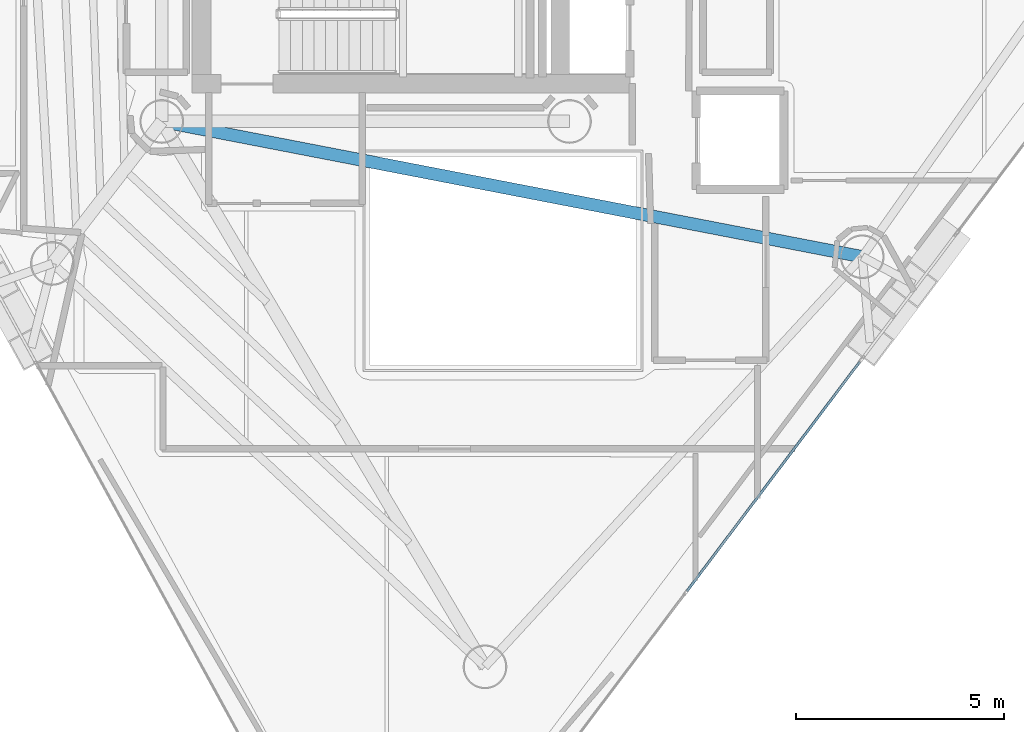
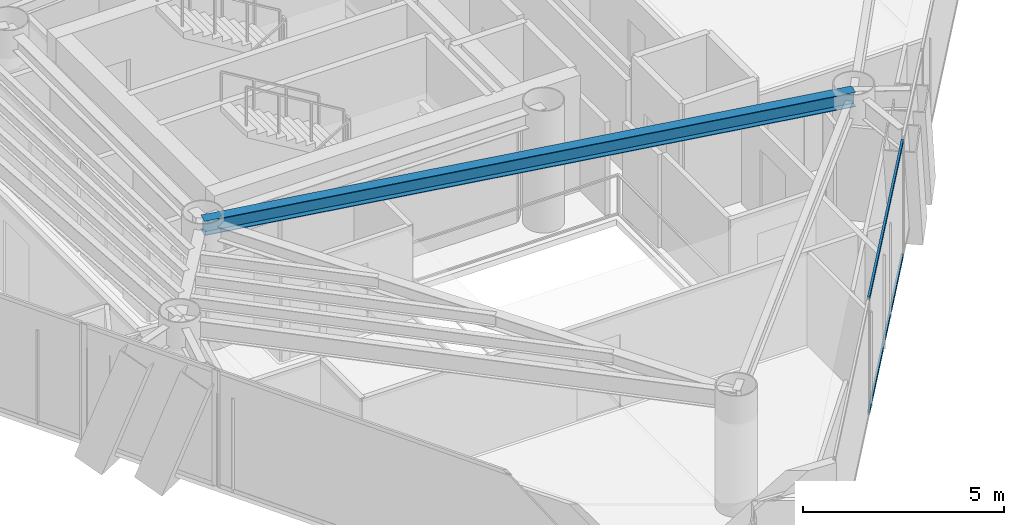
# One storey, part 5 of 19: 2 members, 1 beam, 1 element without a shape of its own.
"""IFC4 building model written with IfcOpenShell, lengths in metres."""

from ifc_helpers import new_model, si_unit, direction, frame, origin, origin_2d, place, context, subcontext, project, spatial, hollow_rectangle, i_section, extrude, material, layer, layer_set, material_profile, profile_set, type_object, element, aggregate, save


model = new_model("IFC4")

# Units and contexts
model_context = context("Model", 3, precision=1e-05, world=origin(), true_north=direction((0.0, 1.0)))
body_context = subcontext(model_context, "Body", "Model", "MODEL_VIEW")
ifc_project = project(units=[si_unit("LENGTHUNIT", "METRE"), si_unit("AREAUNIT", "SQUARE_METRE"), si_unit("VOLUMEUNIT", "CUBIC_METRE"), si_unit("PLANEANGLEUNIT", "RADIAN"), si_unit("MASSUNIT", "GRAM", prefix="KILO")], contexts=[model_context])

# Site, building, storey
site_placement = place(None, origin())
site = spatial("IfcSite", under=ifc_project, at=site_placement, CompositionType="ELEMENT")
building_placement = place(site_placement, origin())
building = spatial("IfcBuilding", under=site, at=building_placement, Name="Qianvela Tower", CompositionType="ELEMENT")
storey_placement = place(building_placement, frame((0.0, 0.0, 268.60009765625)))
storey = spatial("IfcBuildingStorey", under=building, at=storey_placement, Name="L69", CompositionType="ELEMENT", Elevation=268.60009765625)

# Beam
ifc_material_1 = material(Name="Steel Q355B", Category="steel")
ifc_material_profile_1 = material_profile(ifc_material_1, i_section(OverallWidth=0.300048828125, OverallDepth=0.43994140625, WebThickness=0.010986328125, FlangeThickness=0.01806640625, at=origin_2d()), Name="HM440x300x11x18")
ifc_profile_set_1 = profile_set([ifc_material_profile_1], Name="Steel Q355B")
beam_type = type_object("IfcBeamType", Name="BM-HM440-COLL", PredefinedType="BEAM", material=ifc_profile_set_1)
beam_placement = place(storey_placement, frame((28.60009765625, 23.85009765625, 3.2978515625), z_axis=(0.981849104236, -0.189663745904, 0.0), x_axis=(0.189663745904, 0.981849104236, 0.0)))
element("IfcBeam", 1, at=beam_placement, inside=storey, type_object=beam_type, Name="L69 Radial Primary Floor Girder 6", PredefinedType="BEAM", context=body_context, shape_type="SweptSolid", body=[
    extrude(i_section(OverallWidth=0.300048828125, OverallDepth=0.43994140625, WebThickness=0.010986328125, FlangeThickness=0.01806640625, at=origin_2d()), origin(), (0.0, 0.0, 1.0), 17.147216796875),
])

# Curtain wall, members
ifc_material_2 = material(Name="Anodised Architectural Aluminium and Low-E Glass", Category="aluminium")
ifc_layer = layer(ifc_material_2, 0.159912109375)
ifc_layer_set = layer_set([ifc_layer], Name="Anodised Architectural Aluminium and Low-E Glass")
curtain_wall_type = type_object("IfcCurtainWallType", Name="CW-COLIV-Z56", PredefinedType="USERDEFINED", material=ifc_layer_set)
curtain_wall_placement = place(storey_placement, origin())
curtain_wall = element("IfcCurtainWall", 2, at=curtain_wall_placement, inside=storey, type_object=curtain_wall_type, Name="L69 CW-COLIV-Z56 Curtain Wall 06A", ObjectType="CURTAIN_WALL_SYSTEM", PredefinedType="USERDEFINED")
ifc_material_3 = material(Name="Anodised Architectural Aluminium 6063-T6", Category="aluminium")
ifc_material_profile_2 = material_profile(ifc_material_3, hollow_rectangle(XDim=0.06005859375, YDim=0.114990234375, WallThickness=0.00390625, at=origin_2d()), Name="ALU-TRAN-60x115")
ifc_profile_set_2 = profile_set([ifc_material_profile_2], Name="Anodised Architectural Aluminium 6063-T6")
member_type = type_object("IfcMemberType", Name="CW-COLIV-Z56-TRAN", PredefinedType="USERDEFINED", material=ifc_profile_set_2)
member_1_placement = place(storey_placement, frame((41.223388671875, 12.56201171875, 0.02978515625), z_axis=(0.601911044983, 0.798563143356, 0.0), x_axis=(-0.798563143356, 0.601911044983, 0.0)))
member_1 = element("IfcMember", 3, at=member_1_placement, type_object=member_type, Name="CW-5 transom 2.1", ObjectType="TRANSOM", PredefinedType="USERDEFINED", context=body_context, shape_type="SweptSolid", body=[
    extrude(hollow_rectangle(XDim=0.06005859375, YDim=0.114990234375, WallThickness=0.00390625, at=origin_2d()), origin(), (0.0, 0.0, 1.0), 6.902587890625),
])
member_2_placement = place(storey_placement, frame((41.223388671875, 12.56201171875, 3.489990234375), z_axis=(0.601911044983, 0.798563143356, 0.0), x_axis=(-0.798563143356, 0.601911044983, 0.0)))
member_2 = element("IfcMember", 4, at=member_2_placement, type_object=member_type, Name="CW-5 transom 2.2", ObjectType="TRANSOM", PredefinedType="USERDEFINED", context=body_context, shape_type="SweptSolid", body=[
    extrude(hollow_rectangle(XDim=0.06005859375, YDim=0.114990234375, WallThickness=0.00390625, at=origin_2d()), origin(), (0.0, 0.0, 1.0), 6.902587890625),
])
aggregate(curtain_wall, [member_1, member_2])

save(model, "model.ifc")
